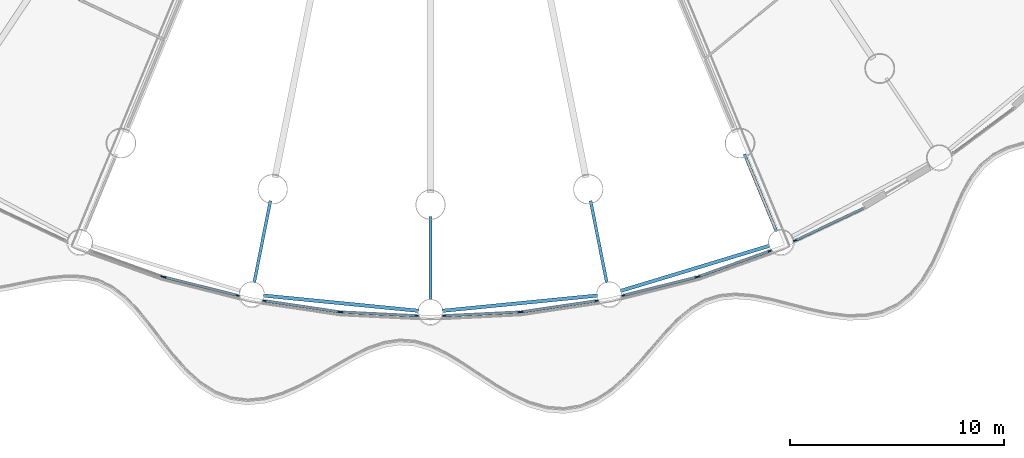
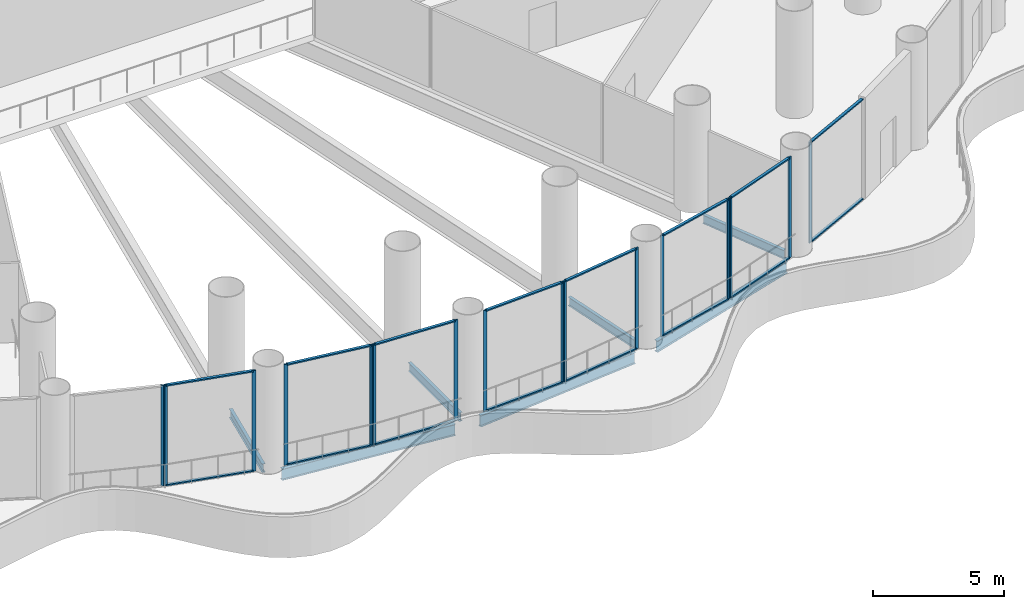
# One storey, part 5 of 36: 32 members, 7 beams, 9 elements without a shape of their own.
"""IFC4 building model written with IfcOpenShell, lengths in metres."""

from ifc_helpers import new_model, si_unit, direction, frame, origin, origin_2d, place, context, subcontext, project, spatial, rectangle, i_section, extrude, material, material_profile, profile_set, type_object, element, aggregate, save


model = new_model("IFC4")

# Units and contexts
model_context = context("Model", 3, precision=1e-05, world=origin(), true_north=direction((0.0, 1.0)))
body_context = subcontext(model_context, "Body", "Model", "MODEL_VIEW")
ifc_project = project(units=[si_unit("LENGTHUNIT", "METRE"), si_unit("AREAUNIT", "SQUARE_METRE"), si_unit("VOLUMEUNIT", "CUBIC_METRE"), si_unit("PLANEANGLEUNIT", "RADIAN"), si_unit("MASSUNIT", "GRAM", prefix="KILO")], contexts=[model_context])

# Site, building, storey
site_placement = place(None, origin())
site = spatial("IfcSite", under=ifc_project, at=site_placement, CompositionType="ELEMENT")
building_placement = place(site_placement, origin())
building = spatial("IfcBuilding", under=site, at=building_placement, Name="Corvane Civic Tower", CompositionType="ELEMENT")
storey_placement = place(building_placement, frame((0.0, 0.0, 17.0)))
storey = spatial("IfcBuildingStorey", under=building, at=storey_placement, Name="L03", CompositionType="ELEMENT", Elevation=17.0)

# Beams
ifc_material_1 = material(Name="Steel ASTM A992 Gr 50", Category="steel")
ifc_material_profile_1 = material_profile(ifc_material_1, i_section(OverallWidth=0.165771484375, OverallDepth=0.5283203125, WebThickness=0.009765625, FlangeThickness=0.013671875, at=origin_2d()), Name="W21X50")
ifc_profile_set_1 = profile_set([ifc_material_profile_1], Name="Steel ASTM A992 Gr 50")
beam_type_1 = type_object("IfcBeamType", Name="EDGE BEAM W21X50", PredefinedType="BEAM", material=ifc_profile_set_1)
for number, where, z_axis, x_axis, name in (
    (1, (15.814208984375, -39.609375, -0.564208984375), (-0.956938225664, -0.290291633127, 0.0), (0.290291633127, -0.956938225664, 0.0), "BM-L03-E15"),
    (2, (7.782958984375, -41.93359375, -0.564208984375), (-0.995187967953, -0.097984225478, 0.0), (0.097984225478, -0.995187967953, 0.0), "BM-L03-E16"),
    (3, (-0.54736328125, -42.64599609375, -0.564208984375), (-0.995187967953, 0.097984225478, 0.0), (-0.097984225478, -0.995187967953, 0.0), "BM-L03-E17"),
):
    element("IfcBeam", number, at=place(storey_placement, frame(where, z_axis=z_axis, x_axis=x_axis)), inside=storey, type_object=beam_type_1, Name=name, PredefinedType="BEAM", context=body_context, shape_type="SweptSolid", body=[
        extrude(i_section(OverallWidth=0.165771484375, OverallDepth=0.5283203125, WebThickness=0.009765625, FlangeThickness=0.013671875, at=origin_2d()), origin(), (0.0, 0.0, 1.0), 7.2705078125),
    ])
ifc_material_2 = material(Name="Steel ASTM A992 Gr 50", Category="steel")
ifc_material_profile_2 = material_profile(ifc_material_2, i_section(OverallWidth=0.140380859375, OverallDepth=0.40380859375, WebThickness=0.007080078125, FlangeThickness=0.01123046875, at=origin_2d()), Name="W16X31")
ifc_profile_set_2 = profile_set([ifc_material_profile_2], Name="Steel ASTM A992 Gr 50")
beam_type_2 = type_object("IfcBeamType", Name="FLOOR GIRDER W16X31", PredefinedType="BEAM", material=ifc_profile_set_2)
for number, where, z_axis, x_axis, name in (
    (4, (14.6376953125, -35.33837890625, -0.501953125), (0.382685369162, -0.923878730261, 0.0), (0.923878730261, 0.382685369162, 0.0), "BM-L03-G15b"),
    (5, (7.462158203125, -37.51513671875, -0.501953125), (0.195128858343, -0.980777614264, 0.0), (0.980777614264, 0.195128858343, 0.0), "BM-L03-G16b"),
    (6, (0.0, -38.25, -0.501953125), (0.0, -1.0, 0.0), (1.0, 0.0, 0.0), "BM-L03-G17b"),
    (7, (-7.462158203125, -37.51513671875, -0.501953125), (-0.195128858343, -0.980777614264, 0.0), (0.980777614264, -0.195128858343, 0.0), "BM-L03-G18b"),
):
    element("IfcBeam", number, at=place(storey_placement, frame(where, z_axis=z_axis, x_axis=x_axis)), inside=storey, type_object=beam_type_2, Name=name, PredefinedType="BEAM", context=body_context, shape_type="SweptSolid", body=[
        extrude(i_section(OverallWidth=0.140380859375, OverallDepth=0.40380859375, WebThickness=0.007080078125, FlangeThickness=0.01123046875, at=origin_2d()), origin(), (0.0, 0.0, 1.0), 3.89990234375),
    ])

# Curtain wall, member
ifc_material_3 = material(Name="Aluminium and glass", Category="aluminium")
curtain_wall_type = type_object("IfcCurtainWallType", Name="PODIUM-CW-P-RUN", PredefinedType="NOTDEFINED", material=ifc_material_3)
curtain_wall_1_placement = place(storey_placement, origin())
curtain_wall_1 = element("IfcCurtainWall", 8, at=curtain_wall_1_placement, inside=storey, type_object=curtain_wall_type, Name="PODI run L03-drum-14B", PredefinedType="NOTDEFINED")
ifc_material_4 = material(Name="Anodised aluminium bronze", Category="aluminium")
ifc_material_profile_3 = material_profile(ifc_material_4, rectangle(XDim=0.06005859375, YDim=0.159912109375, at=origin_2d()), Name="AL 60x160")
ifc_profile_set_3 = profile_set([ifc_material_profile_3], Name="Anodised aluminium bronze")
member_type_1 = type_object("IfcMemberType", Name="PODIUM-CWP-MULLION-60x160", PredefinedType="MULLION", material=ifc_profile_set_3)
member_1_placement = place(storey_placement, frame((17.00439453125, -39.36767578125, 0.0), z_axis=(0.0, 0.0, 1.0), x_axis=(0.42755312852, -0.903990222454, 0.0)))
member_1 = element("IfcMember", 9, at=member_1_placement, type_object=member_type_1, Name="CW-P mullion 2", PredefinedType="MULLION", context=body_context, shape_type="SweptSolid", body=[
    extrude(rectangle(XDim=0.06005859375, YDim=0.159912109375, at=origin_2d()), origin(), (0.0, 0.0, 1.0), 4.699951171875),
])

# Curtain wall, members
curtain_wall_2_placement = place(storey_placement, origin())
curtain_wall_2 = element("IfcCurtainWall", 10, at=curtain_wall_2_placement, inside=storey, type_object=curtain_wall_type, Name="PODI run L03-drum-15A", PredefinedType="NOTDEFINED")
member_2_placement = place(storey_placement, frame((15.81298828125, -39.861083984375, 0.0), z_axis=(0.0, 0.0, 1.0), x_axis=(0.336918534123, -0.941533802561, 0.0)))
member_2 = element("IfcMember", 11, at=member_2_placement, type_object=member_type_1, Name="CW-P mullion 1", PredefinedType="MULLION", context=body_context, shape_type="SweptSolid", body=[
    extrude(rectangle(XDim=0.06005859375, YDim=0.159912109375, at=origin_2d()), origin(), (0.0, 0.0, 1.0), 4.699951171875),
])
member_3_placement = place(storey_placement, frame((12.4990234375, -41.046875, 0.0), z_axis=(0.0, 0.0, 1.0), x_axis=(0.336918534123, -0.941533802561, 0.0)))
member_3 = element("IfcMember", 12, at=member_3_placement, type_object=member_type_1, Name="CW-P mullion 2", PredefinedType="MULLION", context=body_context, shape_type="SweptSolid", body=[
    extrude(rectangle(XDim=0.06005859375, YDim=0.159912109375, at=origin_2d()), origin(), (0.0, 0.0, 1.0), 4.699951171875),
])

curtain_wall_3_placement = place(storey_placement, origin())
curtain_wall_3 = element("IfcCurtainWall", 13, at=curtain_wall_3_placement, inside=storey, type_object=curtain_wall_type, Name="PODI run L03-drum-15B", PredefinedType="NOTDEFINED")
member_4_placement = place(storey_placement, frame((12.411865234375, -41.0732421875, 0.0), z_axis=(0.0, 0.0, 1.0), x_axis=(0.243008852393, -0.970024070659, 0.0)))
member_4 = element("IfcMember", 14, at=member_4_placement, type_object=member_type_1, Name="CW-P mullion 1", PredefinedType="MULLION", context=body_context, shape_type="SweptSolid", body=[
    extrude(rectangle(XDim=0.06005859375, YDim=0.159912109375, at=origin_2d()), origin(), (0.0, 0.0, 1.0), 4.699951171875),
])
member_5_placement = place(storey_placement, frame((8.99755859375, -41.9287109375, 0.0), z_axis=(0.0, 0.0, 1.0), x_axis=(0.243008852393, -0.970024070659, 0.0)))
member_5 = element("IfcMember", 15, at=member_5_placement, type_object=member_type_1, Name="CW-P mullion 2", PredefinedType="MULLION", context=body_context, shape_type="SweptSolid", body=[
    extrude(rectangle(XDim=0.06005859375, YDim=0.159912109375, at=origin_2d()), origin(), (0.0, 0.0, 1.0), 4.699951171875),
])

curtain_wall_4_placement = place(storey_placement, origin())
curtain_wall_4 = element("IfcCurtainWall", 16, at=curtain_wall_4_placement, inside=storey, type_object=curtain_wall_type, Name="PODI run L03-drum-16A", PredefinedType="NOTDEFINED")
member_6_placement = place(storey_placement, frame((7.732666015625, -42.18017578125, 0.0), z_axis=(0.0, 0.0, 1.0), x_axis=(0.146714694252, -0.989178850608, 0.0)))
member_6 = element("IfcMember", 17, at=member_6_placement, type_object=member_type_1, Name="CW-P mullion 1", PredefinedType="MULLION", context=body_context, shape_type="SweptSolid", body=[
    extrude(rectangle(XDim=0.06005859375, YDim=0.159912109375, at=origin_2d()), origin(), (0.0, 0.0, 1.0), 4.699951171875),
])
member_7_placement = place(storey_placement, frame((4.2509765625, -42.696533203125, 0.0), z_axis=(0.0, 0.0, 1.0), x_axis=(0.146714694252, -0.989178850608, 0.0)))
member_7 = element("IfcMember", 18, at=member_7_placement, type_object=member_type_1, Name="CW-P mullion 2", PredefinedType="MULLION", context=body_context, shape_type="SweptSolid", body=[
    extrude(rectangle(XDim=0.06005859375, YDim=0.159912109375, at=origin_2d()), origin(), (0.0, 0.0, 1.0), 4.699951171875),
])

curtain_wall_5_placement = place(storey_placement, origin())
curtain_wall_5 = element("IfcCurtainWall", 19, at=curtain_wall_5_placement, inside=storey, type_object=curtain_wall_type, Name="PODI run L03-drum-16B", PredefinedType="NOTDEFINED")
member_8_placement = place(storey_placement, frame((4.16064453125, -42.70556640625, 0.0), z_axis=(0.0, 0.0, 1.0), x_axis=(0.04905015332, -0.998796316803, 0.0)))
member_8 = element("IfcMember", 20, at=member_8_placement, type_object=member_type_1, Name="CW-P mullion 1", PredefinedType="MULLION", context=body_context, shape_type="SweptSolid", body=[
    extrude(rectangle(XDim=0.06005859375, YDim=0.159912109375, at=origin_2d()), origin(), (0.0, 0.0, 1.0), 4.699951171875),
])
member_9_placement = place(storey_placement, frame((0.644775390625, -42.878173828125, 0.0), z_axis=(0.0, 0.0, 1.0), x_axis=(0.04905015332, -0.998796316803, 0.0)))
member_9 = element("IfcMember", 21, at=member_9_placement, type_object=member_type_1, Name="CW-P mullion 2", PredefinedType="MULLION", context=body_context, shape_type="SweptSolid", body=[
    extrude(rectangle(XDim=0.06005859375, YDim=0.159912109375, at=origin_2d()), origin(), (0.0, 0.0, 1.0), 4.699951171875),
])

curtain_wall_6_placement = place(storey_placement, origin())
curtain_wall_6 = element("IfcCurtainWall", 22, at=curtain_wall_6_placement, inside=storey, type_object=curtain_wall_type, Name="PODI run L03-drum-17A", PredefinedType="NOTDEFINED")
member_10_placement = place(storey_placement, frame((-0.644775390625, -42.878173828125, 0.0), z_axis=(0.0, 0.0, 1.0), x_axis=(-0.04905015332, -0.998796316803, 0.0)))
member_10 = element("IfcMember", 23, at=member_10_placement, type_object=member_type_1, Name="CW-P mullion 1", PredefinedType="MULLION", context=body_context, shape_type="SweptSolid", body=[
    extrude(rectangle(XDim=0.06005859375, YDim=0.159912109375, at=origin_2d()), origin(), (0.0, 0.0, 1.0), 4.699951171875),
])
member_11_placement = place(storey_placement, frame((-4.16064453125, -42.70556640625, 0.0), z_axis=(0.0, 0.0, 1.0), x_axis=(-0.04905015332, -0.998796316803, 0.0)))
member_11 = element("IfcMember", 24, at=member_11_placement, type_object=member_type_1, Name="CW-P mullion 2", PredefinedType="MULLION", context=body_context, shape_type="SweptSolid", body=[
    extrude(rectangle(XDim=0.06005859375, YDim=0.159912109375, at=origin_2d()), origin(), (0.0, 0.0, 1.0), 4.699951171875),
])

curtain_wall_7_placement = place(storey_placement, origin())
curtain_wall_7 = element("IfcCurtainWall", 25, at=curtain_wall_7_placement, inside=storey, type_object=curtain_wall_type, Name="PODI run L03-drum-17B", PredefinedType="NOTDEFINED")
member_12_placement = place(storey_placement, frame((-4.2509765625, -42.696533203125, 0.0), z_axis=(0.0, 0.0, 1.0), x_axis=(-0.146714694252, -0.989178850608, 0.0)))
member_12 = element("IfcMember", 26, at=member_12_placement, type_object=member_type_1, Name="CW-P mullion 1", PredefinedType="MULLION", context=body_context, shape_type="SweptSolid", body=[
    extrude(rectangle(XDim=0.06005859375, YDim=0.159912109375, at=origin_2d()), origin(), (0.0, 0.0, 1.0), 4.699951171875),
])
member_13_placement = place(storey_placement, frame((-7.732666015625, -42.18017578125, 0.0), z_axis=(0.0, 0.0, 1.0), x_axis=(-0.146714694252, -0.989178850608, 0.0)))
member_13 = element("IfcMember", 27, at=member_13_placement, type_object=member_type_1, Name="CW-P mullion 2", PredefinedType="MULLION", context=body_context, shape_type="SweptSolid", body=[
    extrude(rectangle(XDim=0.06005859375, YDim=0.159912109375, at=origin_2d()), origin(), (0.0, 0.0, 1.0), 4.699951171875),
])

curtain_wall_8_placement = place(storey_placement, origin())
curtain_wall_8 = element("IfcCurtainWall", 28, at=curtain_wall_8_placement, inside=storey, type_object=curtain_wall_type, Name="PODI run L03-drum-18A", PredefinedType="NOTDEFINED")
member_14_placement = place(storey_placement, frame((-8.99755859375, -41.9287109375, 0.0), z_axis=(0.0, 0.0, 1.0), x_axis=(-0.243008852393, -0.970024070659, 0.0)))
member_14 = element("IfcMember", 29, at=member_14_placement, type_object=member_type_1, Name="CW-P mullion 1", PredefinedType="MULLION", context=body_context, shape_type="SweptSolid", body=[
    extrude(rectangle(XDim=0.06005859375, YDim=0.159912109375, at=origin_2d()), origin(), (0.0, 0.0, 1.0), 4.699951171875),
])
member_15_placement = place(storey_placement, frame((-12.411865234375, -41.0732421875, 0.0), z_axis=(0.0, 0.0, 1.0), x_axis=(-0.243008852393, -0.970024070659, 0.0)))
member_15 = element("IfcMember", 30, at=member_15_placement, type_object=member_type_1, Name="CW-P mullion 2", PredefinedType="MULLION", context=body_context, shape_type="SweptSolid", body=[
    extrude(rectangle(XDim=0.06005859375, YDim=0.159912109375, at=origin_2d()), origin(), (0.0, 0.0, 1.0), 4.699951171875),
])

# Curtain wall, member
curtain_wall_9_placement = place(storey_placement, origin())
curtain_wall_9 = element("IfcCurtainWall", 31, at=curtain_wall_9_placement, inside=storey, type_object=curtain_wall_type, Name="PODI run L03-drum-18B", PredefinedType="NOTDEFINED")
member_16_placement = place(storey_placement, frame((-12.4990234375, -41.046875, 0.0), z_axis=(0.0, 0.0, 1.0), x_axis=(-0.336918534123, -0.941533802561, 0.0)))
member_16 = element("IfcMember", 32, at=member_16_placement, type_object=member_type_1, Name="CW-P mullion 1", PredefinedType="MULLION", context=body_context, shape_type="SweptSolid", body=[
    extrude(rectangle(XDim=0.06005859375, YDim=0.159912109375, at=origin_2d()), origin(), (0.0, 0.0, 1.0), 4.699951171875),
])
aggregate(curtain_wall_9, [member_16])

# Member
ifc_material_5 = material(Name="Anodised aluminium bronze", Category="aluminium")
ifc_material_profile_4 = material_profile(ifc_material_5, rectangle(XDim=0.1201171875, YDim=0.06005859375, at=origin_2d()), Name="AL 120x60")
ifc_profile_set_4 = profile_set([ifc_material_profile_4], Name="Anodised aluminium bronze")
member_type_2 = type_object("IfcMemberType", Name="PODIUM-CWP-TRANSOM-60x120", PredefinedType="USERDEFINED", material=ifc_profile_set_4)
member_17_placement = place(storey_placement, frame((20.1591796875, -37.87548828125, 0.030029296875), z_axis=(-0.903993431638, -0.427546343166, 0.0), x_axis=(0.427546343166, -0.903993431638, 0.0)))
member_17 = element("IfcMember", 33, at=member_17_placement, type_object=member_type_2, Name="CW-P transom 1.1", ObjectType="TRANSOM", PredefinedType="USERDEFINED", context=body_context, shape_type="SweptSolid", body=[
    extrude(rectangle(XDim=0.1201171875, YDim=0.06005859375, at=origin_2d()), origin(), (0.0, 0.0, 1.0), 3.4599609375),
])

member_18_placement = place(storey_placement, frame((20.1591796875, -37.87548828125, 4.669921875), z_axis=(-0.903993431638, -0.427546343166, 0.0), x_axis=(0.427546343166, -0.903993431638, 0.0)))
member_18 = element("IfcMember", 34, at=member_18_placement, type_object=member_type_2, Name="CW-P transom 1.2", ObjectType="TRANSOM", PredefinedType="USERDEFINED", context=body_context, shape_type="SweptSolid", body=[
    extrude(rectangle(XDim=0.1201171875, YDim=0.06005859375, at=origin_2d()), origin(), (0.0, 0.0, 1.0), 3.4599609375),
])

aggregate(curtain_wall_1, [member_1, member_17, member_18])

member_19_placement = place(storey_placement, frame((15.78466796875, -39.87109375, 0.030029296875), z_axis=(-0.941526196838, -0.336939787896, 0.0), x_axis=(0.336939787896, -0.941526196838, 0.0)))
member_19 = element("IfcMember", 35, at=member_19_placement, type_object=member_type_2, Name="CW-P transom 1.1", ObjectType="TRANSOM", PredefinedType="USERDEFINED", context=body_context, shape_type="SweptSolid", body=[
    extrude(rectangle(XDim=0.1201171875, YDim=0.06005859375, at=origin_2d()), origin(), (0.0, 0.0, 1.0), 3.4599609375),
])

member_20_placement = place(storey_placement, frame((15.78466796875, -39.87109375, 4.669921875), z_axis=(-0.941526196838, -0.336939787896, 0.0), x_axis=(0.336939787896, -0.941526196838, 0.0)))
member_20 = element("IfcMember", 36, at=member_20_placement, type_object=member_type_2, Name="CW-P transom 1.2", ObjectType="TRANSOM", PredefinedType="USERDEFINED", context=body_context, shape_type="SweptSolid", body=[
    extrude(rectangle(XDim=0.1201171875, YDim=0.06005859375, at=origin_2d()), origin(), (0.0, 0.0, 1.0), 3.4599609375),
])

aggregate(curtain_wall_2, [member_2, member_3, member_19, member_20])

member_21_placement = place(storey_placement, frame((12.3828125, -41.08056640625, 0.030029296875), z_axis=(-0.970022009425, -0.243017080124, 0.0), x_axis=(0.243017080124, -0.970022009425, 0.0)))
member_21 = element("IfcMember", 37, at=member_21_placement, type_object=member_type_2, Name="CW-P transom 1.1", ObjectType="TRANSOM", PredefinedType="USERDEFINED", context=body_context, shape_type="SweptSolid", body=[
    extrude(rectangle(XDim=0.1201171875, YDim=0.06005859375, at=origin_2d()), origin(), (0.0, 0.0, 1.0), 3.4599609375),
])

member_22_placement = place(storey_placement, frame((12.3828125, -41.08056640625, 4.669921875), z_axis=(-0.970022009425, -0.243017080124, 0.0), x_axis=(0.243017080124, -0.970022009425, 0.0)))
member_22 = element("IfcMember", 38, at=member_22_placement, type_object=member_type_2, Name="CW-P transom 1.2", ObjectType="TRANSOM", PredefinedType="USERDEFINED", context=body_context, shape_type="SweptSolid", body=[
    extrude(rectangle(XDim=0.1201171875, YDim=0.06005859375, at=origin_2d()), origin(), (0.0, 0.0, 1.0), 3.4599609375),
])

aggregate(curtain_wall_3, [member_4, member_5, member_21, member_22])

member_23_placement = place(storey_placement, frame((7.703125, -42.1845703125, 0.030029296875), z_axis=(-0.989180338828, -0.146704660039, 0.0), x_axis=(0.146704660039, -0.989180338828, 0.0)))
member_23 = element("IfcMember", 39, at=member_23_placement, type_object=member_type_2, Name="CW-P transom 1.1", ObjectType="TRANSOM", PredefinedType="USERDEFINED", context=body_context, shape_type="SweptSolid", body=[
    extrude(rectangle(XDim=0.1201171875, YDim=0.06005859375, at=origin_2d()), origin(), (0.0, 0.0, 1.0), 3.459716796875),
])

member_24_placement = place(storey_placement, frame((7.703125, -42.1845703125, 4.669921875), z_axis=(-0.989180338828, -0.146704660039, 0.0), x_axis=(0.146704660039, -0.989180338828, 0.0)))
member_24 = element("IfcMember", 40, at=member_24_placement, type_object=member_type_2, Name="CW-P transom 1.2", ObjectType="TRANSOM", PredefinedType="USERDEFINED", context=body_context, shape_type="SweptSolid", body=[
    extrude(rectangle(XDim=0.1201171875, YDim=0.06005859375, at=origin_2d()), origin(), (0.0, 0.0, 1.0), 3.459716796875),
])

aggregate(curtain_wall_4, [member_6, member_7, member_23, member_24])

member_25_placement = place(storey_placement, frame((4.130615234375, -42.70703125, 0.030029296875), z_axis=(-0.998796806423, -0.049040182301, 0.0), x_axis=(0.049040182301, -0.998796806423, 0.0)))
member_25 = element("IfcMember", 41, at=member_25_placement, type_object=member_type_2, Name="CW-P transom 1.1", ObjectType="TRANSOM", PredefinedType="USERDEFINED", context=body_context, shape_type="SweptSolid", body=[
    extrude(rectangle(XDim=0.1201171875, YDim=0.06005859375, at=origin_2d()), origin(), (0.0, 0.0, 1.0), 3.4599609375),
])

member_26_placement = place(storey_placement, frame((4.130615234375, -42.70703125, 4.669921875), z_axis=(-0.998796806423, -0.049040182301, 0.0), x_axis=(0.049040182301, -0.998796806423, 0.0)))
member_26 = element("IfcMember", 42, at=member_26_placement, type_object=member_type_2, Name="CW-P transom 1.2", ObjectType="TRANSOM", PredefinedType="USERDEFINED", context=body_context, shape_type="SweptSolid", body=[
    extrude(rectangle(XDim=0.1201171875, YDim=0.06005859375, at=origin_2d()), origin(), (0.0, 0.0, 1.0), 3.4599609375),
])

aggregate(curtain_wall_5, [member_8, member_9, member_25, member_26])

member_27_placement = place(storey_placement, frame((-0.6748046875, -42.876708984375, 0.030029296875), z_axis=(-0.998796806423, 0.049040182301, 0.0), x_axis=(-0.049040182301, -0.998796806423, 0.0)))
member_27 = element("IfcMember", 43, at=member_27_placement, type_object=member_type_2, Name="CW-P transom 1.1", ObjectType="TRANSOM", PredefinedType="USERDEFINED", context=body_context, shape_type="SweptSolid", body=[
    extrude(rectangle(XDim=0.1201171875, YDim=0.06005859375, at=origin_2d()), origin(), (0.0, 0.0, 1.0), 3.4599609375),
])

member_28_placement = place(storey_placement, frame((-0.6748046875, -42.876708984375, 4.669921875), z_axis=(-0.998796806423, 0.049040182301, 0.0), x_axis=(-0.049040182301, -0.998796806423, 0.0)))
member_28 = element("IfcMember", 44, at=member_28_placement, type_object=member_type_2, Name="CW-P transom 1.2", ObjectType="TRANSOM", PredefinedType="USERDEFINED", context=body_context, shape_type="SweptSolid", body=[
    extrude(rectangle(XDim=0.1201171875, YDim=0.06005859375, at=origin_2d()), origin(), (0.0, 0.0, 1.0), 3.4599609375),
])

aggregate(curtain_wall_6, [member_10, member_11, member_27, member_28])

member_29_placement = place(storey_placement, frame((-4.28076171875, -42.692138671875, 0.030029296875), z_axis=(-0.989180338828, 0.146704660039, 0.0), x_axis=(-0.146704660039, -0.989180338828, 0.0)))
member_29 = element("IfcMember", 45, at=member_29_placement, type_object=member_type_2, Name="CW-P transom 1.1", ObjectType="TRANSOM", PredefinedType="USERDEFINED", context=body_context, shape_type="SweptSolid", body=[
    extrude(rectangle(XDim=0.1201171875, YDim=0.06005859375, at=origin_2d()), origin(), (0.0, 0.0, 1.0), 3.459716796875),
])

member_30_placement = place(storey_placement, frame((-4.28076171875, -42.692138671875, 4.669921875), z_axis=(-0.989180338828, 0.146704660039, 0.0), x_axis=(-0.146704660039, -0.989180338828, 0.0)))
member_30 = element("IfcMember", 46, at=member_30_placement, type_object=member_type_2, Name="CW-P transom 1.2", ObjectType="TRANSOM", PredefinedType="USERDEFINED", context=body_context, shape_type="SweptSolid", body=[
    extrude(rectangle(XDim=0.1201171875, YDim=0.06005859375, at=origin_2d()), origin(), (0.0, 0.0, 1.0), 3.459716796875),
])

aggregate(curtain_wall_7, [member_12, member_13, member_29, member_30])

member_31_placement = place(storey_placement, frame((-9.026611328125, -41.92138671875, 0.030029296875), z_axis=(-0.970022009425, 0.243017080124, 0.0), x_axis=(-0.243017080124, -0.970022009425, 0.0)))
member_31 = element("IfcMember", 47, at=member_31_placement, type_object=member_type_2, Name="CW-P transom 1.1", ObjectType="TRANSOM", PredefinedType="USERDEFINED", context=body_context, shape_type="SweptSolid", body=[
    extrude(rectangle(XDim=0.1201171875, YDim=0.06005859375, at=origin_2d()), origin(), (0.0, 0.0, 1.0), 3.4599609375),
])

member_32_placement = place(storey_placement, frame((-9.026611328125, -41.92138671875, 4.669921875), z_axis=(-0.970022009425, 0.243017080124, 0.0), x_axis=(-0.243017080124, -0.970022009425, 0.0)))
member_32 = element("IfcMember", 48, at=member_32_placement, type_object=member_type_2, Name="CW-P transom 1.2", ObjectType="TRANSOM", PredefinedType="USERDEFINED", context=body_context, shape_type="SweptSolid", body=[
    extrude(rectangle(XDim=0.1201171875, YDim=0.06005859375, at=origin_2d()), origin(), (0.0, 0.0, 1.0), 3.4599609375),
])

aggregate(curtain_wall_8, [member_14, member_15, member_31, member_32])

save(model, "model.ifc")
